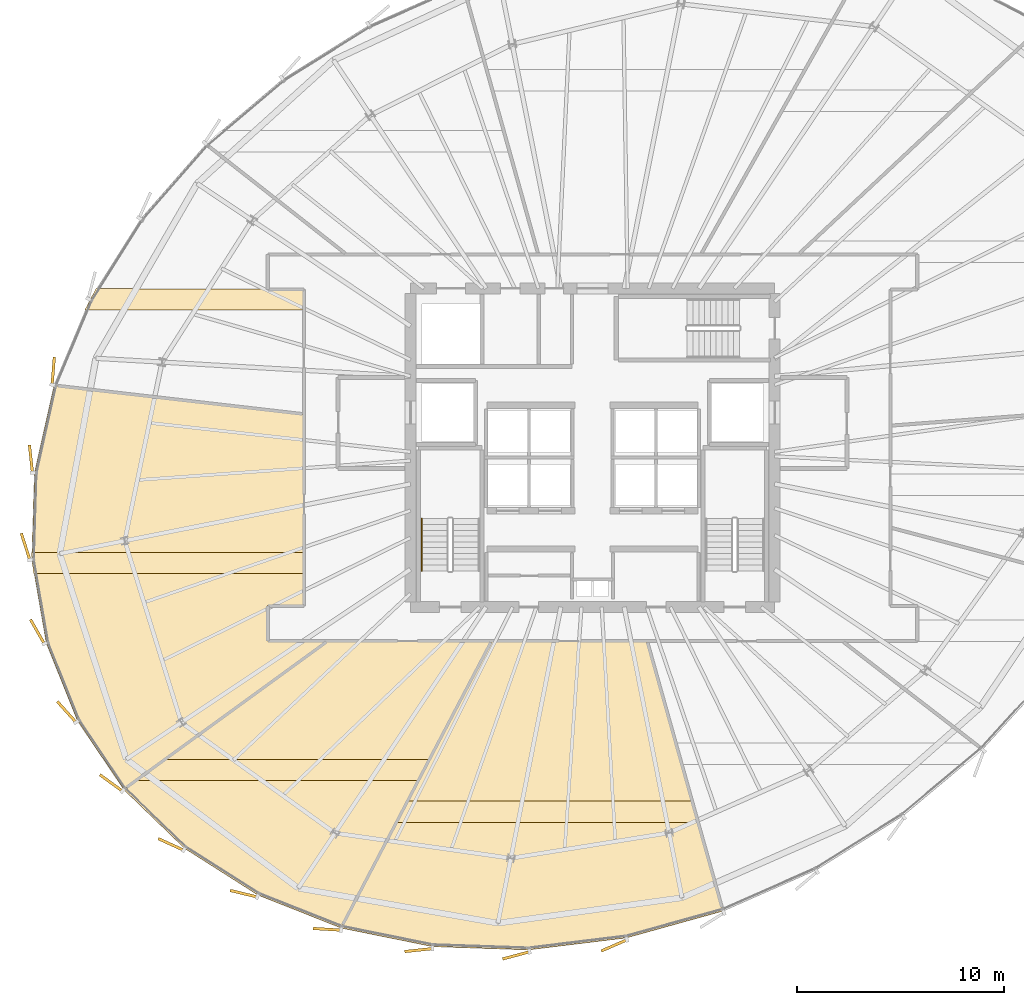
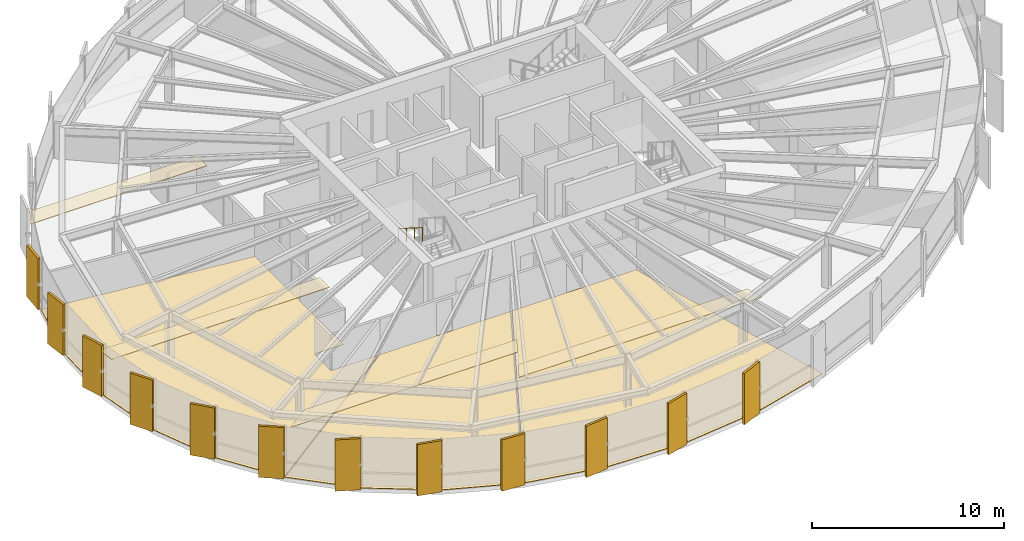
# One storey, part 32 of 35: 19 coverings, 1 railing.
"""IFC4 building model written with IfcOpenShell, lengths in metres."""

from ifc_helpers import new_model, si_unit, direction, frame, origin, origin_2d, place, context, subcontext, project, spatial, polyline, rectangle, circle, outline, extrude, source, transform, mapped, material, layer, layer_set, type_object, element, save


model = new_model("IFC4")

# Units and contexts
model_context = context("Model", 3, precision=1e-05, world=origin(), true_north=direction((0.0, 1.0)))
body_context = subcontext(model_context, "Body", "Model", "MODEL_VIEW")
ifc_project = project(units=[si_unit("LENGTHUNIT", "METRE"), si_unit("AREAUNIT", "SQUARE_METRE"), si_unit("VOLUMEUNIT", "CUBIC_METRE"), si_unit("PLANEANGLEUNIT", "RADIAN"), si_unit("MASSUNIT", "GRAM", prefix="KILO"), si_unit("THERMODYNAMICTEMPERATUREUNIT", "KELVIN")], contexts=[model_context])

# Site, building, storey
site_placement = place(None, origin())
site = spatial("IfcSite", under=ifc_project, at=site_placement, CompositionType="ELEMENT")
building_placement = place(site_placement, origin())
building = spatial("IfcBuilding", under=site, at=building_placement, Name="Kethvar Cultural Tower", CompositionType="ELEMENT")
storey_placement = place(building_placement, frame((0.0, 0.0, 146.550048828125)))
storey = spatial("IfcBuildingStorey", under=building, at=storey_placement, Name="L37", CompositionType="ELEMENT", Elevation=146.550048828125)

# Coverings
ifc_material_1 = material(Name="Acoustic Mineral Fibre Ceiling")
ifc_layer_1 = layer(ifc_material_1, 0.0400390625, Name="Acoustic Mineral Fibre Ceiling")
ifc_layer_set_1 = layer_set([ifc_layer_1], Name="Acoustic Mineral Fibre Ceiling (40 mm)")
covering_type_1 = type_object("IfcCoveringType", Name="CV-ACOUSTIC-CEIL", PredefinedType="CEILING", material=ifc_layer_set_1)
covering_1_placement = place(storey_placement, frame((0.0, 0.0, 2.669921875)))
element("IfcCovering", 1, at=covering_1_placement, inside=storey, type_object=covering_type_1, Name="L37 Room 01 Acoustic Ceiling Panel", PredefinedType="CEILING", context=body_context, shape_type="SweptSolid", body=[
    extrude(outline(polyline([(26.12890625, 12.7373046875), (38.955810546875, 12.7373046875), (38.417724609375, 11.70751953125), (24.718017578125, 11.70751953125), (26.12890625, 12.7373046875)])), origin(), (0.0, 0.0, 1.0), 0.0400390625),
])
covering_2_placement = place(storey_placement, frame((0.0, 0.0, 2.669921875)))
element("IfcCovering", 2, at=covering_2_placement, inside=storey, type_object=covering_type_1, Name="L37 Room 02 Acoustic Ceiling Panel", PredefinedType="CEILING", context=body_context, shape_type="SweptSolid", body=[
    extrude(outline(polyline([(37.857421875, 10.72119140625), (51.64111328125, 10.72119140625), (51.931884765625, 9.691162109375), (37.319580078125, 9.691162109375), (37.857421875, 10.72119140625)])), origin(), (0.0, 0.0, 1.0), 0.0400390625),
])
covering_3_placement = place(storey_placement, frame((0.0, 0.0, 2.669921875)))
element("IfcCovering", 3, at=covering_3_placement, inside=storey, type_object=covering_type_1, Name="L37 Room 10 Acoustic Ceiling Panel", PredefinedType="CEILING", context=body_context, shape_type="SweptSolid", body=[
    extrude(outline(polyline([(22.255126953125, 34.459716796875), (22.795166015625, 35.489501953125), (32.85205078125, 35.469970703125), (32.8701171875, 34.459716796875), (22.255126953125, 34.459716796875)])), origin(), (0.0, 0.0, 1.0), 0.0400390625),
])
covering_4_placement = place(storey_placement, frame((0.0, 0.0, 2.669921875)))
element("IfcCovering", 4, at=covering_4_placement, inside=storey, type_object=covering_type_1, Name="L37 Room 11 Acoustic Ceiling Panel", PredefinedType="CEILING", context=body_context, shape_type="SweptSolid", body=[
    extrude(outline(polyline([(19.77392578125, 21.712890625), (19.66845703125, 22.742919921875), (32.8701171875, 22.742919921875), (32.8701171875, 21.712890625), (19.77392578125, 21.712890625)])), origin(), (0.0, 0.0, 1.0), 0.0400390625),
])
ifc_material_2 = material(Name="Architectural Oak Timber", Category="wood")
ifc_layer_2 = layer(ifc_material_2, 0.02490234375, Name="Architectural Oak Timber", Category="wood")
ifc_layer_set_2 = layer_set([ifc_layer_2], Name="Architectural Oak Timber (25 mm)")
covering_type_2 = type_object("IfcCoveringType", Name="CV-OAK-FLOOR", PredefinedType="FLOORING", material=ifc_layer_set_2)
covering_5_placement = place(storey_placement, origin())
element("IfcCovering", 5, at=covering_5_placement, inside=storey, type_object=covering_type_2, Name="L37 Room 01 Floor Finish", PredefinedType="FLOORING", context=body_context, shape_type="SweptSolid", body=[
    extrude(outline(polyline([(30.632568359375, 6.17236328125), (27.090576171875, 8.426025390625), (24.1630859375, 11.2529296875), (33.99609375, 18.429931640625), (41.8837890625, 18.429931640625), (34.65087890625, 4.581298828125), (30.632568359375, 6.17236328125)])), origin(), (0.0, 0.0, 1.0), 0.02490234375),
])
covering_6_placement = place(storey_placement, origin())
element("IfcCovering", 6, at=covering_6_placement, inside=storey, type_object=covering_type_2, Name="L37 Room 02 Floor Finish", PredefinedType="FLOORING", context=body_context, shape_type="SweptSolid", body=[
    extrude(outline(polyline([(48.4375, 4.105224609375), (43.705810546875, 3.52587890625), (39.068359375, 3.684326171875), (34.690185546875, 4.570556640625), (41.9287109375, 18.429931640625), (49.423828125, 18.429931640625), (53.1015625, 5.399658203125), (48.4375, 4.105224609375)])), origin(), (0.0, 0.0, 1.0), 0.02490234375),
])
covering_7_placement = place(storey_placement, origin())
element("IfcCovering", 7, at=covering_7_placement, inside=storey, type_object=covering_type_2, Name="L37 Room 11 Floor Finish", PredefinedType="FLOORING", context=body_context, shape_type="SweptSolid", body=[
    extrude(outline(polyline([(21.892578125, 14.6123046875), (20.394287109375, 18.35693359375), (19.697998046875, 22.388671875), (19.82470703125, 26.5849609375), (20.767578125, 30.802490234375), (32.830078125, 29.402099609375), (32.830078125, 20.169921875), (31.0859375, 20.1640625), (31.080078125, 18.447998046875), (33.928466796875, 18.429931640625), (24.13720703125, 11.283447265625), (21.892578125, 14.6123046875)])), origin(), (0.0, 0.0, 1.0), 0.02490234375),
])

# Railing
ifc_material_3 = material(Name="Steel S355J2", Category="steel")
railing_type = type_object("IfcRailingType", Name="RL-STAIR-HANDRAIL", PredefinedType="HANDRAIL", material=ifc_material_3)
railing_placement = place(storey_placement, frame((38.5400390625, 24.3701171875, 1.952392578125)))
element("IfcRailing", 8, at=railing_placement, inside=storey, type_object=railing_type, Name="L37 ST-01 stair handrail 2", PredefinedType="HANDRAIL", context=body_context, shape_type="SweptSolid", body=[
    extrude(circle(Radius=0.02392578125, at=origin_2d()), frame((0.0, 0.0, 0.8759765625), z_axis=(0.0, -0.84456994832, 0.535445237532), x_axis=(1.0, 0.0, 0.0)), (0.0, 0.0, 1.0), 2.98388671875),
    extrude(circle(Radius=0.02099609375, at=origin_2d()), origin(), (0.0, 0.0, 1.0), 0.851806640625),
    extrude(circle(Radius=0.02099609375, at=origin_2d()), frame((0.0, -0.840087890625, 0.532470703125)), (0.0, 0.0, 1.0), 0.851806640625),
    extrude(circle(Radius=0.02099609375, at=origin_2d()), frame((0.0, -1.679931640625, 1.065185546875)), (0.0, 0.0, 1.0), 0.851806640625),
    extrude(circle(Radius=0.02099609375, at=origin_2d()), frame((0.0, -2.52001953125, 1.59765625)), (0.0, 0.0, 1.0), 0.851806640625),
])

# Coverings
ifc_material_4 = material(Name="Extruded Architectural Terracotta", Category="masonry")
ifc_layer_3 = layer(ifc_material_4, 0.135009765625, Name="Extruded Architectural Terracotta", Category="masonry")
ifc_layer_set_3 = layer_set([ifc_layer_3], Name="Extruded Architectural Terracotta (135 mm)")
covering_type_3 = type_object("IfcCoveringType", Name="Terracotta Facade Fin FIN-02", PredefinedType="CLADDING", material=ifc_layer_set_3)
shared_shape = source(origin(), body_context, "Body", "SweptSolid", [
    extrude(rectangle(XDim=1.35009765625, YDim=0.135009765625, at=origin_2d()), origin(), (0.0, 0.0, 1.0), 3.260009765625),
])
for number, where, z_axis, x_axis, name in (
    (9, (20.72802734375, 31.514892578125, 0.02001953125), (0.0, 0.0, 1.0), (0.080198924329, 0.996778878456, 0.0), "L37 Vertical Terracotta Fin 3.3"),
    (10, (19.651123046875, 27.2607421875, 0.02001953125), (0.0, 0.0, 1.0), (-0.109213859333, 0.994018275953, 0.0), "L37 Vertical Terracotta Fin 3.4"),
    (11, (19.392578125, 23.016357421875, 0.02001953125), (0.0, 0.0, 1.0), (-0.305695304963, 0.952129392742, 0.0), "L37 Vertical Terracotta Fin 3.5"),
    (12, (19.96484375, 18.907470703125, 0.02001953125), (0.0, 0.0, 1.0), (-0.4971254071, 0.867678701833, 0.0), "L37 Vertical Terracotta Fin 3.6"),
    (13, (21.378662109375, 15.027587890625, 0.02001953125), (0.0, 0.0, 1.0), (-0.669000892928, 0.74326159948, 0.0), "L37 Vertical Terracotta Fin 4.1"),
    (14, (23.530517578125, 11.59423828125, 0.02001953125), (0.0, 0.0, 1.0), (-0.809016994375, 0.587785252292, 0.0), "L37 Vertical Terracotta Fin 4.2"),
    (15, (26.4208984375, 8.622314453125, 0.02001953125), (0.0, 0.0, 1.0), (-0.910178279005, 0.414216731225, 0.0), "L37 Vertical Terracotta Fin 4.3"),
    (16, (29.93798828125, 6.23876953125, 0.02001953125), (0.0, 0.0, 1.0), (-0.971961000579, 0.235142113103, 0.0), "L37 Vertical Terracotta Fin 4.4"),
    (17, (33.970703125, 4.518310546875, 0.02001953125), (0.0, 0.0, 1.0), (-0.998198181003, 0.060003261936, 0.0), "L37 Vertical Terracotta Fin 4.5"),
    (18, (38.39208984375, 3.513427734375, 0.02001953125), (0.0, 0.0, 1.0), (-0.994448678381, -0.105222745001, 0.0), "L37 Vertical Terracotta Fin 4.6"),
    (19, (43.10302734375, 3.256591796875, 0.02001953125), (0.0, 0.0, 1.0), (-0.96601611233, -0.258481857621, 0.0), "L37 Vertical Terracotta Fin 5.1"),
    (20, (47.84375, 3.7392578125, 0.02001953125), (0.0, 0.0, 1.0), (-0.916990465576, -0.398909120029, 0.0), "L37 Vertical Terracotta Fin 5.2"),
):
    element("IfcCovering", number, at=place(storey_placement, frame(where, z_axis=z_axis, x_axis=x_axis)), inside=storey, type_object=covering_type_3, Name=name, PredefinedType="CLADDING", context=body_context, shape_type="MappedRepresentation", body=[
        mapped(shared_shape, transform((0.0, 0.0, 0.0), scale=1.0)),
    ])

save(model, "model.ifc")
